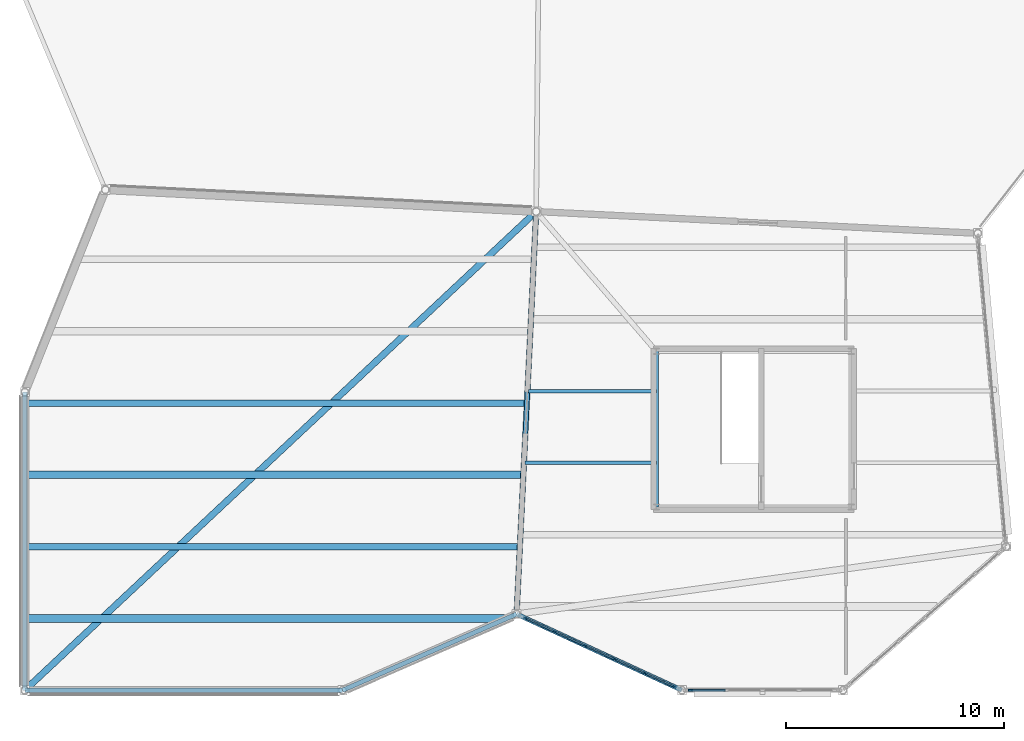
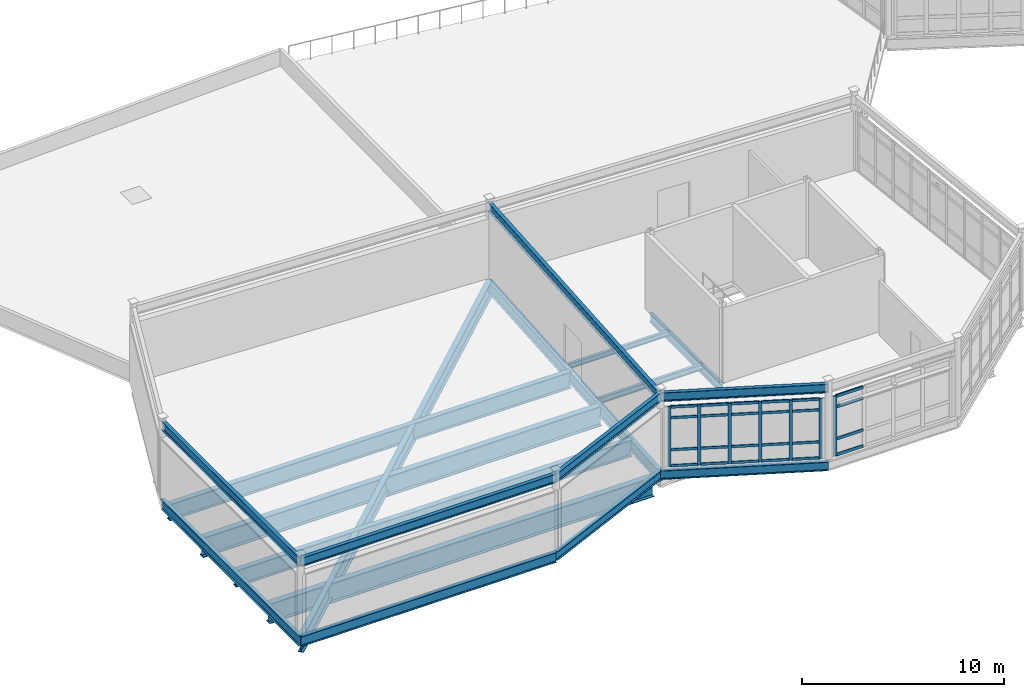
# One storey, part 22 of 114: 31 members, 18 beams, 2 elements without a shape of their own.
"""IFC4 building model written with IfcOpenShell, lengths in metres."""

from ifc_helpers import new_model, si_unit, direction, frame, origin, origin_2d, place, context, subcontext, project, spatial, rectangle, i_section, extrude, material, material_profile, profile_set, type_object, element, aggregate, save


model = new_model("IFC4")

# Units and contexts
model_context = context("Model", 3, precision=1e-05, world=origin(), true_north=direction((0.0, 1.0)))
body_context = subcontext(model_context, "Body", "Model", "MODEL_VIEW")
ifc_project = project(units=[si_unit("LENGTHUNIT", "METRE"), si_unit("AREAUNIT", "SQUARE_METRE"), si_unit("VOLUMEUNIT", "CUBIC_METRE"), si_unit("PLANEANGLEUNIT", "RADIAN"), si_unit("MASSUNIT", "GRAM", prefix="KILO")], contexts=[model_context])

# Site, building, storey
site_placement = place(None, origin())
site = spatial("IfcSite", under=ifc_project, at=site_placement, CompositionType="ELEMENT")
building_placement = place(site_placement, origin())
building = spatial("IfcBuilding", under=site, at=building_placement, Name="Tameran Prism Museum", CompositionType="ELEMENT")
storey_placement = place(building_placement, frame((0.0, 0.0, 10.199951171875)))
storey = spatial("IfcBuildingStorey", under=building, at=storey_placement, Name="L02", CompositionType="ELEMENT", Elevation=10.199951171875)

# Beams
ifc_material_1 = material(Name="Steel Grade 300PLUS (300 MPa)", Category="steel")
ifc_material_profile_1 = material_profile(ifc_material_1, i_section(OverallWidth=0.166015625, OverallDepth=0.306884765625, WebThickness=0.006591796875, FlangeThickness=0.01171875, FilletRadius=0.011474609375, at=origin_2d()))
ifc_profile_set_1 = profile_set([ifc_material_profile_1])
beam_type_1 = type_object("IfcBeamType", Name="BM-J310A", PredefinedType="JOIST", material=ifc_profile_set_1)
beam_1_placement = place(storey_placement, frame((23.138916015625, 13.75, -0.353515625), z_axis=(1.0, 0.0, 0.0), x_axis=(0.0, 1.0, 0.0)))
element("IfcBeam", 1, at=beam_1_placement, inside=storey, type_object=beam_type_1, Name="Floor Beam BM-0901", PredefinedType="JOIST", context=body_context, shape_type="SweptSolid", body=[
    extrude(i_section(OverallWidth=0.166015625, OverallDepth=0.306884765625, WebThickness=0.006591796875, FlangeThickness=0.01171875, FilletRadius=0.011474609375, at=origin_2d()), origin(), (0.0, 0.0, 1.0), 5.881103515625),
])
ifc_material_2 = material(Name="Steel Grade 300PLUS (300 MPa)", Category="steel")
ifc_material_profile_2 = material_profile(ifc_material_2, i_section(OverallWidth=0.1708984375, OverallDepth=0.35595703125, WebThickness=0.00732421875, FlangeThickness=0.011474609375, FilletRadius=0.011474609375, at=origin_2d()))
ifc_profile_set_2 = profile_set([ifc_material_profile_2])
beam_type_2 = type_object("IfcBeamType", Name="BM-J360B", PredefinedType="JOIST", material=ifc_profile_set_2)
beam_2_placement = place(storey_placement, frame((22.97802734375, 10.449951171875, -0.3779296875), z_axis=(1.0, 0.0, 0.0), x_axis=(0.0, 1.0, 0.0)))
element("IfcBeam", 2, at=beam_2_placement, inside=storey, type_object=beam_type_2, Name="Floor Beam BM-0899", PredefinedType="JOIST", context=body_context, shape_type="SweptSolid", body=[
    extrude(i_section(OverallWidth=0.1708984375, OverallDepth=0.35595703125, WebThickness=0.00732421875, FlangeThickness=0.011474609375, FilletRadius=0.011474609375, at=origin_2d()), origin(), (0.0, 0.0, 1.0), 6.0419921875),
])
ifc_material_3 = material(Name="Steel Grade 300PLUS (300 MPa)", Category="steel")
ifc_material_profile_3 = material_profile(ifc_material_3, i_section(OverallWidth=0.208984375, OverallDepth=0.532958984375, WebThickness=0.01025390625, FlangeThickness=0.015625, FilletRadius=0.013916015625, at=origin_2d()))
ifc_profile_set_3 = profile_set([ifc_material_profile_3])
beam_type_3 = type_object("IfcBeamType", Name="BM-SP530A", PredefinedType="SPANDREL", material=ifc_profile_set_3)
beam_3_placement = place(storey_placement, frame((14.60009765625, 0.0, -0.466552734375), z_axis=(0.916157334902, 0.40081883402, 0.0), x_axis=(-0.40081883402, 0.916157334902, 0.0)))
element("IfcBeam", 3, at=beam_3_placement, inside=storey, type_object=beam_type_3, Name="Perimeter Spandrel SP-0709", PredefinedType="SPANDREL", context=body_context, shape_type="SweptSolid", body=[
    extrude(i_section(OverallWidth=0.208984375, OverallDepth=0.532958984375, WebThickness=0.01025390625, FlangeThickness=0.015625, FilletRadius=0.013916015625, at=origin_2d()), origin(), (0.0, 0.0, 1.0), 8.732177734375),
])
ifc_material_4 = material(Name="Steel Grade 300PLUS (300 MPa)", Category="steel")
ifc_material_profile_4 = material_profile(ifc_material_4, i_section(OverallWidth=0.208984375, OverallDepth=0.528076171875, WebThickness=0.009521484375, FlangeThickness=0.01318359375, FilletRadius=0.013916015625, at=origin_2d()))
ifc_profile_set_4 = profile_set([ifc_material_profile_4])
beam_type_4 = type_object("IfcBeamType", Name="BM-SP530B", PredefinedType="SPANDREL", material=ifc_profile_set_4)
beam_4_placement = place(storey_placement, frame((0.0, 13.699951171875, 4.2861328125), z_axis=(0.0, -1.0, 0.0), x_axis=(1.0, 0.0, 0.0)))
element("IfcBeam", 4, at=beam_4_placement, inside=storey, type_object=beam_type_4, Name="Roof Ring Beam RB-0713", PredefinedType="SPANDREL", context=body_context, shape_type="SweptSolid", body=[
    extrude(i_section(OverallWidth=0.208984375, OverallDepth=0.528076171875, WebThickness=0.009521484375, FlangeThickness=0.01318359375, FilletRadius=0.013916015625, at=origin_2d()), origin(), (0.0, 0.0, 1.0), 13.699951171875),
])
beam_5_placement = place(storey_placement, frame((0.0, 0.0, 4.2861328125), z_axis=(1.0, 0.0, 0.0), x_axis=(0.0, 1.0, 0.0)))
element("IfcBeam", 5, at=beam_5_placement, inside=storey, type_object=beam_type_4, Name="Roof Ring Beam RB-0714", PredefinedType="SPANDREL", context=body_context, shape_type="SweptSolid", body=[
    extrude(i_section(OverallWidth=0.208984375, OverallDepth=0.528076171875, WebThickness=0.009521484375, FlangeThickness=0.01318359375, FilletRadius=0.013916015625, at=origin_2d()), origin(), (0.0, 0.0, 1.0), 14.60009765625),
])
beam_6_placement = place(storey_placement, frame((14.60009765625, 0.0, 4.2861328125), z_axis=(0.916157334902, 0.40081883402, 0.0), x_axis=(-0.40081883402, 0.916157334902, 0.0)))
element("IfcBeam", 6, at=beam_6_placement, inside=storey, type_object=beam_type_4, Name="Roof Ring Beam RB-0715", PredefinedType="SPANDREL", context=body_context, shape_type="SweptSolid", body=[
    extrude(i_section(OverallWidth=0.208984375, OverallDepth=0.528076171875, WebThickness=0.009521484375, FlangeThickness=0.01318359375, FilletRadius=0.013916015625, at=origin_2d()), origin(), (0.0, 0.0, 1.0), 8.732177734375),
])
beam_7_placement = place(storey_placement, frame((22.60009765625, 3.5, 4.256103515625), z_axis=(0.048585922438, 0.998819006698, 0.0), x_axis=(-0.998819006698, 0.048585922438, 0.0)))
element("IfcBeam", 7, at=beam_7_placement, inside=storey, type_object=beam_type_4, Name="Roof Ring Beam RB-0716", PredefinedType="SPANDREL", context=body_context, shape_type="SweptSolid", body=[
    extrude(i_section(OverallWidth=0.208984375, OverallDepth=0.528076171875, WebThickness=0.009521484375, FlangeThickness=0.01318359375, FilletRadius=0.013916015625, at=origin_2d()), origin(), (0.0, 0.0, 1.0), 18.52197265625),
])
for number, where, z_axis, x_axis, name in (
    (8, (22.60009765625, 3.5, -0.4638671875), (0.908305802849, -0.41830678755, 0.0), (0.41830678755, 0.908305802849, 0.0), "Perimeter Spandrel SP-0718"),
    (9, (22.60009765625, 3.5, 4.256103515625), (0.908305802849, -0.41830678755, 0.0), (0.41830678755, 0.908305802849, 0.0), "Roof Ring Beam RB-0723"),
):
    element("IfcBeam", number, at=place(storey_placement, frame(where, z_axis=z_axis, x_axis=x_axis)), inside=storey, type_object=beam_type_4, Name=name, PredefinedType="SPANDREL", context=body_context, shape_type="SweptSolid", body=[
        extrude(i_section(OverallWidth=0.208984375, OverallDepth=0.528076171875, WebThickness=0.009521484375, FlangeThickness=0.01318359375, FilletRadius=0.013916015625, at=origin_2d()), origin(), (0.0, 0.0, 1.0), 8.366943359375),
    ])
beam_8_placement = place(storey_placement, frame((29.02001953125, 15.580078125, -0.50390625), z_axis=(0.0, -1.0, 0.0), x_axis=(1.0, 0.0, 0.0)))
element("IfcBeam", 10, at=beam_8_placement, inside=storey, type_object=beam_type_4, Name="Core Ring Beam CTB-0788", PredefinedType="SPANDREL", context=body_context, shape_type="SweptSolid", body=[
    extrude(i_section(OverallWidth=0.208984375, OverallDepth=0.528076171875, WebThickness=0.009521484375, FlangeThickness=0.01318359375, FilletRadius=0.013916015625, at=origin_2d()), origin(), (0.0, 0.0, 1.0), 7.16015625),
])
ifc_material_5 = material(Name="Steel Grade 300PLUS (300 MPa)", Category="steel")
ifc_material_profile_5 = material_profile(ifc_material_5, i_section(OverallWidth=0.22802734375, OverallDepth=0.60205078125, WebThickness=0.010498046875, FlangeThickness=0.014892578125, FilletRadius=0.013916015625, at=origin_2d()))
ifc_profile_set_5 = profile_set([ifc_material_profile_5])
beam_type_5 = type_object("IfcBeamType", Name="BM-SP610", PredefinedType="SPANDREL", material=ifc_profile_set_5)
beam_9_placement = place(storey_placement, frame((0.0, 13.699951171875, -0.5009765625), z_axis=(0.0, -1.0, 0.0), x_axis=(1.0, 0.0, 0.0)))
element("IfcBeam", 11, at=beam_9_placement, inside=storey, type_object=beam_type_5, Name="Perimeter Spandrel SP-0707", PredefinedType="SPANDREL", context=body_context, shape_type="SweptSolid", body=[
    extrude(i_section(OverallWidth=0.22802734375, OverallDepth=0.60205078125, WebThickness=0.010498046875, FlangeThickness=0.014892578125, FilletRadius=0.013916015625, at=origin_2d()), origin(), (0.0, 0.0, 1.0), 13.699951171875),
])
beam_10_placement = place(storey_placement, frame((0.0, 0.0, -0.5009765625), z_axis=(1.0, 0.0, 0.0), x_axis=(0.0, 1.0, 0.0)))
element("IfcBeam", 12, at=beam_10_placement, inside=storey, type_object=beam_type_5, Name="Perimeter Spandrel SP-0708", PredefinedType="SPANDREL", context=body_context, shape_type="SweptSolid", body=[
    extrude(i_section(OverallWidth=0.22802734375, OverallDepth=0.60205078125, WebThickness=0.010498046875, FlangeThickness=0.014892578125, FilletRadius=0.013916015625, at=origin_2d()), origin(), (0.0, 0.0, 1.0), 14.60009765625),
])
ifc_material_6 = material(Name="Steel Grade 350 (350 MPa)", Category="steel")
ifc_material_profile_6 = material_profile(ifc_material_6, i_section(OverallWidth=0.25, OverallDepth=0.699951171875, WebThickness=0.010009765625, FlangeThickness=0.02001953125, at=origin_2d()))
ifc_profile_set_6 = profile_set([ifc_material_profile_6])
beam_type_6 = type_object("IfcBeamType", Name="BM-SP700", PredefinedType="SPANDREL", material=ifc_profile_set_6)
beam_11_placement = place(storey_placement, frame((22.60009765625, 3.5, -0.550048828125), z_axis=(0.048585922438, 0.998819006698, 0.0), x_axis=(-0.998819006698, 0.048585922438, 0.0)))
element("IfcBeam", 13, at=beam_11_placement, inside=storey, type_object=beam_type_6, Name="Perimeter Spandrel SP-0710", PredefinedType="SPANDREL", context=body_context, shape_type="SweptSolid", body=[
    extrude(i_section(OverallWidth=0.25, OverallDepth=0.699951171875, WebThickness=0.010009765625, FlangeThickness=0.02001953125, at=origin_2d()), origin(), (0.0, 0.0, 1.0), 18.52197265625),
])
ifc_material_7 = material(Name="Steel Grade 350 (350 MPa)", Category="steel")
ifc_material_profile_7 = material_profile(ifc_material_7, i_section(OverallWidth=0.300048828125, OverallDepth=1.0, WebThickness=0.01611328125, FlangeThickness=0.031982421875, at=origin_2d()))
ifc_profile_set_7 = profile_set([ifc_material_profile_7])
beam_type_7 = type_object("IfcBeamType", Name="BM-WB1000", PredefinedType="BEAM", material=ifc_profile_set_7)
beam_12_placement = place(storey_placement, frame((23.5, 22.0, -0.699951171875), z_axis=(-0.730021398632, -0.683424288081, 0.0), x_axis=(0.683424288081, -0.730021398632, 0.0)))
element("IfcBeam", 14, at=beam_12_placement, inside=storey, type_object=beam_type_7, Name="Primary Vertex Girder PG-0717", PredefinedType="BEAM", context=body_context, shape_type="SweptSolid", body=[
    extrude(i_section(OverallWidth=0.300048828125, OverallDepth=1.0, WebThickness=0.01611328125, FlangeThickness=0.031982421875, at=origin_2d()), origin(), (0.0, 0.0, 1.0), 32.19091796875),
])
beam_13_placement = place(storey_placement, frame((0.0400390625, 6.60009765625, -0.699951171875), z_axis=(1.0, 0.0, 0.0), x_axis=(0.0, 1.0, 0.0)))
element("IfcBeam", 15, at=beam_13_placement, inside=storey, type_object=beam_type_7, Name="Floor Beam BM-0892", PredefinedType="BEAM", context=body_context, shape_type="SweptSolid", body=[
    extrude(i_section(OverallWidth=0.300048828125, OverallDepth=1.0, WebThickness=0.01611328125, FlangeThickness=0.031982421875, at=origin_2d()), origin(), (0.0, 0.0, 1.0), 22.6708984375),
])
beam_14_placement = place(storey_placement, frame((0.0400390625, 13.199951171875, -0.699951171875), z_axis=(1.0, 0.0, 0.0), x_axis=(0.0, 1.0, 0.0)))
element("IfcBeam", 16, at=beam_14_placement, inside=storey, type_object=beam_type_7, Name="Floor Beam BM-0894", PredefinedType="BEAM", context=body_context, shape_type="SweptSolid", body=[
    extrude(i_section(OverallWidth=0.300048828125, OverallDepth=1.0, WebThickness=0.01611328125, FlangeThickness=0.031982421875, at=origin_2d()), origin(), (0.0, 0.0, 1.0), 22.991943359375),
])
ifc_material_8 = material(Name="Steel Grade 350 (350 MPa)", Category="steel")
ifc_material_profile_8 = material_profile(ifc_material_8, i_section(OverallWidth=0.35009765625, OverallDepth=1.199951171875, WebThickness=0.01611328125, FlangeThickness=0.035888671875, at=origin_2d()))
ifc_profile_set_8 = profile_set([ifc_material_profile_8])
beam_type_8 = type_object("IfcBeamType", Name="BM-WB1200", PredefinedType="BEAM", material=ifc_profile_set_8)
beam_15_placement = place(storey_placement, frame((0.0400390625, 3.300048828125, -0.800048828125), z_axis=(1.0, 0.0, 0.0), x_axis=(0.0, 1.0, 0.0)))
element("IfcBeam", 17, at=beam_15_placement, inside=storey, type_object=beam_type_8, Name="Floor Beam BM-0891", PredefinedType="BEAM", context=body_context, shape_type="SweptSolid", body=[
    extrude(i_section(OverallWidth=0.35009765625, OverallDepth=1.199951171875, WebThickness=0.01611328125, FlangeThickness=0.035888671875, at=origin_2d()), origin(), (0.0, 0.0, 1.0), 22.0029296875),
])
beam_16_placement = place(storey_placement, frame((0.0400390625, 9.89990234375, -0.800048828125), z_axis=(1.0, 0.0, 0.0), x_axis=(0.0, 1.0, 0.0)))
element("IfcBeam", 18, at=beam_16_placement, inside=storey, type_object=beam_type_8, Name="Floor Beam BM-0893", PredefinedType="BEAM", context=body_context, shape_type="SweptSolid", body=[
    extrude(i_section(OverallWidth=0.35009765625, OverallDepth=1.199951171875, WebThickness=0.01611328125, FlangeThickness=0.035888671875, at=origin_2d()), origin(), (0.0, 0.0, 1.0), 22.8310546875),
])

# Curtain wall, members
ifc_material_9 = material(Name="Anodised Aluminium 6063-T6 and Cyclone Solar Glass", Category="aluminium")
curtain_wall_type_1 = type_object("IfcCurtainWallType", Name="CW-FAC-761x362", PredefinedType="USERDEFINED", material=ifc_material_9)
curtain_wall_1_placement = place(storey_placement, origin())
curtain_wall_1 = element("IfcCurtainWall", 19, at=curtain_wall_1_placement, inside=storey, type_object=curtain_wall_type_1, Name="Unitised Curtain Wall CW-120", ObjectType="UNITISED CURTAIN WALL", PredefinedType="USERDEFINED")
ifc_material_10 = material(Name="Anodised Aluminium Alloy 6063-T6", Category="aluminium")
ifc_material_profile_9 = material_profile(ifc_material_10, rectangle(XDim=0.070068359375, YDim=0.179931640625, at=origin_2d()))
ifc_profile_set_9 = profile_set([ifc_material_profile_9])
member_type_1 = type_object("IfcMemberType", Name="CW-MUL-B", PredefinedType="MULLION", material=ifc_profile_set_9)
member_1_placement = place(storey_placement, frame((29.85009765625, 0.16064453125, 0.0), z_axis=(0.0, 0.0, 1.0), x_axis=(-0.418382893697, -0.908270749425, 0.0)))
member_1 = element("IfcMember", 20, at=member_1_placement, type_object=member_type_1, Name="CW-120 mullion 1", PredefinedType="MULLION", context=body_context, shape_type="SweptSolid", body=[
    extrude(rectangle(XDim=0.070068359375, YDim=0.179931640625, at=origin_2d()), origin(), (0.0, 0.0, 1.0), 3.6201171875),
])
member_2_placement = place(storey_placement, frame((28.5, 0.78271484375, 0.0), z_axis=(0.0, 0.0, 1.0), x_axis=(-0.418382893697, -0.908270749425, 0.0)))
member_2 = element("IfcMember", 21, at=member_2_placement, type_object=member_type_1, Name="CW-120 mullion 2", PredefinedType="MULLION", context=body_context, shape_type="SweptSolid", body=[
    extrude(rectangle(XDim=0.070068359375, YDim=0.179931640625, at=origin_2d()), origin(), (0.0, 0.0, 1.0), 3.6201171875),
])
member_3_placement = place(storey_placement, frame((27.117919921875, 1.419189453125, 0.0), z_axis=(0.0, 0.0, 1.0), x_axis=(-0.418382893697, -0.908270749425, 0.0)))
member_3 = element("IfcMember", 22, at=member_3_placement, type_object=member_type_1, Name="CW-120 mullion 3", PredefinedType="MULLION", context=body_context, shape_type="SweptSolid", body=[
    extrude(rectangle(XDim=0.070068359375, YDim=0.179931640625, at=origin_2d()), origin(), (0.0, 0.0, 1.0), 3.6201171875),
])
member_4_placement = place(storey_placement, frame((25.736083984375, 2.055908203125, 0.0), z_axis=(0.0, 0.0, 1.0), x_axis=(-0.418382893697, -0.908270749425, 0.0)))
member_4 = element("IfcMember", 23, at=member_4_placement, type_object=member_type_1, Name="CW-120 mullion 4", PredefinedType="MULLION", context=body_context, shape_type="SweptSolid", body=[
    extrude(rectangle(XDim=0.070068359375, YDim=0.179931640625, at=origin_2d()), origin(), (0.0, 0.0, 1.0), 3.6201171875),
])
member_5_placement = place(storey_placement, frame((24.35400390625, 2.6923828125, 0.0), z_axis=(0.0, 0.0, 1.0), x_axis=(-0.418382893697, -0.908270749425, 0.0)))
member_5 = element("IfcMember", 24, at=member_5_placement, type_object=member_type_1, Name="CW-120 mullion 5", PredefinedType="MULLION", context=body_context, shape_type="SweptSolid", body=[
    extrude(rectangle(XDim=0.070068359375, YDim=0.179931640625, at=origin_2d()), origin(), (0.0, 0.0, 1.0), 3.6201171875),
])
member_6_placement = place(storey_placement, frame((23.00390625, 3.314453125, 0.0), z_axis=(0.0, 0.0, 1.0), x_axis=(-0.418382893697, -0.908270749425, 0.0)))
member_6 = element("IfcMember", 25, at=member_6_placement, type_object=member_type_1, Name="CW-120 mullion 6", PredefinedType="MULLION", context=body_context, shape_type="SweptSolid", body=[
    extrude(rectangle(XDim=0.070068359375, YDim=0.179931640625, at=origin_2d()), origin(), (0.0, 0.0, 1.0), 3.6201171875),
])

# Curtain wall, member
ifc_material_11 = material(Name="Anodised Aluminium 6063-T6 and Cyclone Solar Glass", Category="aluminium")
curtain_wall_type_2 = type_object("IfcCurtainWallType", Name="CW-FAC-670x362", PredefinedType="USERDEFINED", material=ifc_material_11)
curtain_wall_2_placement = place(storey_placement, origin())
curtain_wall_2 = element("IfcCurtainWall", 26, at=curtain_wall_2_placement, inside=storey, type_object=curtain_wall_type_2, Name="Unitised Curtain Wall CW-121", ObjectType="UNITISED CURTAIN WALL", PredefinedType="USERDEFINED")
ifc_material_12 = material(Name="Anodised Aluminium Alloy 6063-T6", Category="aluminium")
ifc_material_profile_10 = material_profile(ifc_material_12, rectangle(XDim=0.074951171875, YDim=0.199951171875, at=origin_2d()))
ifc_profile_set_10 = profile_set([ifc_material_profile_10])
member_type_2 = type_object("IfcMemberType", Name="CW-MUL-C", PredefinedType="MULLION", material=ifc_profile_set_10)
member_7_placement = place(storey_placement, frame((30.58740234375, 0.0, 0.0), z_axis=(0.0, 0.0, 1.0), x_axis=(0.0, -1.0, 0.0)))
member_7 = element("IfcMember", 27, at=member_7_placement, type_object=member_type_2, Name="CW-121 mullion 5", PredefinedType="MULLION", context=body_context, shape_type="SweptSolid", body=[
    extrude(rectangle(XDim=0.074951171875, YDim=0.199951171875, at=origin_2d()), origin(), (0.0, 0.0, 1.0), 3.6201171875),
])

# Member
ifc_material_13 = material(Name="Anodised Aluminium Alloy 6063-T6", Category="aluminium")
ifc_material_profile_11 = material_profile(ifc_material_13, rectangle(XDim=0.070068359375, YDim=0.155029296875, at=origin_2d()))
ifc_profile_set_11 = profile_set([ifc_material_profile_11])
member_type_3 = type_object("IfcMemberType", Name="CW-TRN-B", PredefinedType="USERDEFINED", material=ifc_profile_set_11)
member_8_placement = place(storey_placement, frame((29.818359375, 0.17529296875, 0.03515625), z_axis=(-0.908241650756, 0.418446058451, 0.0), x_axis=(-0.418446058451, -0.908241650756, 0.0)))
member_8 = element("IfcMember", 28, at=member_8_placement, type_object=member_type_3, Name="CW-120 transom 1.1", ObjectType="TRANSOM", PredefinedType="USERDEFINED", context=body_context, shape_type="SweptSolid", body=[
    extrude(rectangle(XDim=0.070068359375, YDim=0.155029296875, at=origin_2d()), origin(), (0.0, 0.0, 1.0), 1.41650390625),
])

member_9_placement = place(storey_placement, frame((29.818359375, 0.17529296875, 1.0), z_axis=(-0.908241650756, 0.418446058451, 0.0), x_axis=(-0.418446058451, -0.908241650756, 0.0)))
member_9 = element("IfcMember", 29, at=member_9_placement, type_object=member_type_3, Name="CW-120 transom 1.2", ObjectType="TRANSOM", PredefinedType="USERDEFINED", context=body_context, shape_type="SweptSolid", body=[
    extrude(rectangle(XDim=0.070068359375, YDim=0.155029296875, at=origin_2d()), origin(), (0.0, 0.0, 1.0), 1.41650390625),
])

member_10_placement = place(storey_placement, frame((29.818359375, 0.17529296875, 2.93994140625), z_axis=(-0.908241650756, 0.418446058451, 0.0), x_axis=(-0.418446058451, -0.908241650756, 0.0)))
member_10 = element("IfcMember", 30, at=member_10_placement, type_object=member_type_3, Name="CW-120 transom 1.3", ObjectType="TRANSOM", PredefinedType="USERDEFINED", context=body_context, shape_type="SweptSolid", body=[
    extrude(rectangle(XDim=0.070068359375, YDim=0.155029296875, at=origin_2d()), origin(), (0.0, 0.0, 1.0), 1.41650390625),
])

member_11_placement = place(storey_placement, frame((29.818359375, 0.17529296875, 3.5849609375), z_axis=(-0.908241650756, 0.418446058451, 0.0), x_axis=(-0.418446058451, -0.908241650756, 0.0)))
member_11 = element("IfcMember", 31, at=member_11_placement, type_object=member_type_3, Name="CW-120 transom 1.4", ObjectType="TRANSOM", PredefinedType="USERDEFINED", context=body_context, shape_type="SweptSolid", body=[
    extrude(rectangle(XDim=0.070068359375, YDim=0.155029296875, at=origin_2d()), origin(), (0.0, 0.0, 1.0), 1.41650390625),
])

member_12_placement = place(storey_placement, frame((28.46826171875, 0.79736328125, 0.03515625), z_axis=(-0.908298775175, 0.418322047011, 0.0), x_axis=(-0.418322047011, -0.908298775175, 0.0)))
member_12 = element("IfcMember", 32, at=member_12_placement, type_object=member_type_3, Name="CW-120 transom 2.1", ObjectType="TRANSOM", PredefinedType="USERDEFINED", context=body_context, shape_type="SweptSolid", body=[
    extrude(rectangle(XDim=0.070068359375, YDim=0.155029296875, at=origin_2d()), origin(), (0.0, 0.0, 1.0), 1.451416015625),
])

member_13_placement = place(storey_placement, frame((28.46826171875, 0.79736328125, 1.0), z_axis=(-0.908298775175, 0.418322047011, 0.0), x_axis=(-0.418322047011, -0.908298775175, 0.0)))
member_13 = element("IfcMember", 33, at=member_13_placement, type_object=member_type_3, Name="CW-120 transom 2.2", ObjectType="TRANSOM", PredefinedType="USERDEFINED", context=body_context, shape_type="SweptSolid", body=[
    extrude(rectangle(XDim=0.070068359375, YDim=0.155029296875, at=origin_2d()), origin(), (0.0, 0.0, 1.0), 1.451416015625),
])

member_14_placement = place(storey_placement, frame((28.46826171875, 0.79736328125, 2.93994140625), z_axis=(-0.908298775175, 0.418322047011, 0.0), x_axis=(-0.418322047011, -0.908298775175, 0.0)))
member_14 = element("IfcMember", 34, at=member_14_placement, type_object=member_type_3, Name="CW-120 transom 2.3", ObjectType="TRANSOM", PredefinedType="USERDEFINED", context=body_context, shape_type="SweptSolid", body=[
    extrude(rectangle(XDim=0.070068359375, YDim=0.155029296875, at=origin_2d()), origin(), (0.0, 0.0, 1.0), 1.451416015625),
])

member_15_placement = place(storey_placement, frame((28.46826171875, 0.79736328125, 3.5849609375), z_axis=(-0.908298775175, 0.418322047011, 0.0), x_axis=(-0.418322047011, -0.908298775175, 0.0)))
member_15 = element("IfcMember", 35, at=member_15_placement, type_object=member_type_3, Name="CW-120 transom 2.4", ObjectType="TRANSOM", PredefinedType="USERDEFINED", context=body_context, shape_type="SweptSolid", body=[
    extrude(rectangle(XDim=0.070068359375, YDim=0.155029296875, at=origin_2d()), origin(), (0.0, 0.0, 1.0), 1.451416015625),
])

member_16_placement = place(storey_placement, frame((27.086181640625, 1.433837890625, 0.03515625), z_axis=(-0.908234858244, 0.418460801354, 0.0), x_axis=(-0.418460801354, -0.908234858244, 0.0)))
member_16 = element("IfcMember", 36, at=member_16_placement, type_object=member_type_3, Name="CW-120 transom 3.1", ObjectType="TRANSOM", PredefinedType="USERDEFINED", context=body_context, shape_type="SweptSolid", body=[
    extrude(rectangle(XDim=0.070068359375, YDim=0.155029296875, at=origin_2d()), origin(), (0.0, 0.0, 1.0), 1.45166015625),
])

member_17_placement = place(storey_placement, frame((27.086181640625, 1.433837890625, 1.0), z_axis=(-0.908234858244, 0.418460801354, 0.0), x_axis=(-0.418460801354, -0.908234858244, 0.0)))
member_17 = element("IfcMember", 37, at=member_17_placement, type_object=member_type_3, Name="CW-120 transom 3.2", ObjectType="TRANSOM", PredefinedType="USERDEFINED", context=body_context, shape_type="SweptSolid", body=[
    extrude(rectangle(XDim=0.070068359375, YDim=0.155029296875, at=origin_2d()), origin(), (0.0, 0.0, 1.0), 1.45166015625),
])

member_18_placement = place(storey_placement, frame((27.086181640625, 1.433837890625, 2.93994140625), z_axis=(-0.908234858244, 0.418460801354, 0.0), x_axis=(-0.418460801354, -0.908234858244, 0.0)))
member_18 = element("IfcMember", 38, at=member_18_placement, type_object=member_type_3, Name="CW-120 transom 3.3", ObjectType="TRANSOM", PredefinedType="USERDEFINED", context=body_context, shape_type="SweptSolid", body=[
    extrude(rectangle(XDim=0.070068359375, YDim=0.155029296875, at=origin_2d()), origin(), (0.0, 0.0, 1.0), 1.45166015625),
])

member_19_placement = place(storey_placement, frame((27.086181640625, 1.433837890625, 3.5849609375), z_axis=(-0.908234858244, 0.418460801354, 0.0), x_axis=(-0.418460801354, -0.908234858244, 0.0)))
member_19 = element("IfcMember", 39, at=member_19_placement, type_object=member_type_3, Name="CW-120 transom 3.4", ObjectType="TRANSOM", PredefinedType="USERDEFINED", context=body_context, shape_type="SweptSolid", body=[
    extrude(rectangle(XDim=0.070068359375, YDim=0.155029296875, at=origin_2d()), origin(), (0.0, 0.0, 1.0), 1.45166015625),
])

member_20_placement = place(storey_placement, frame((25.7041015625, 2.070556640625, 0.03515625), z_axis=(-0.908298775175, 0.418322047011, 0.0), x_axis=(-0.418322047011, -0.908298775175, 0.0)))
member_20 = element("IfcMember", 40, at=member_20_placement, type_object=member_type_3, Name="CW-120 transom 4.1", ObjectType="TRANSOM", PredefinedType="USERDEFINED", context=body_context, shape_type="SweptSolid", body=[
    extrude(rectangle(XDim=0.070068359375, YDim=0.155029296875, at=origin_2d()), origin(), (0.0, 0.0, 1.0), 1.451416015625),
])

member_21_placement = place(storey_placement, frame((25.7041015625, 2.070556640625, 1.0), z_axis=(-0.908298775175, 0.418322047011, 0.0), x_axis=(-0.418322047011, -0.908298775175, 0.0)))
member_21 = element("IfcMember", 41, at=member_21_placement, type_object=member_type_3, Name="CW-120 transom 4.2", ObjectType="TRANSOM", PredefinedType="USERDEFINED", context=body_context, shape_type="SweptSolid", body=[
    extrude(rectangle(XDim=0.070068359375, YDim=0.155029296875, at=origin_2d()), origin(), (0.0, 0.0, 1.0), 1.451416015625),
])

member_22_placement = place(storey_placement, frame((25.7041015625, 2.070556640625, 2.93994140625), z_axis=(-0.908298775175, 0.418322047011, 0.0), x_axis=(-0.418322047011, -0.908298775175, 0.0)))
member_22 = element("IfcMember", 42, at=member_22_placement, type_object=member_type_3, Name="CW-120 transom 4.3", ObjectType="TRANSOM", PredefinedType="USERDEFINED", context=body_context, shape_type="SweptSolid", body=[
    extrude(rectangle(XDim=0.070068359375, YDim=0.155029296875, at=origin_2d()), origin(), (0.0, 0.0, 1.0), 1.451416015625),
])

member_23_placement = place(storey_placement, frame((25.7041015625, 2.070556640625, 3.5849609375), z_axis=(-0.908298775175, 0.418322047011, 0.0), x_axis=(-0.418322047011, -0.908298775175, 0.0)))
member_23 = element("IfcMember", 43, at=member_23_placement, type_object=member_type_3, Name="CW-120 transom 4.4", ObjectType="TRANSOM", PredefinedType="USERDEFINED", context=body_context, shape_type="SweptSolid", body=[
    extrude(rectangle(XDim=0.070068359375, YDim=0.155029296875, at=origin_2d()), origin(), (0.0, 0.0, 1.0), 1.451416015625),
])

member_24_placement = place(storey_placement, frame((24.322265625, 2.70703125, 0.03515625), z_axis=(-0.908241650756, 0.418446058451, 0.0), x_axis=(-0.418446058451, -0.908241650756, 0.0)))
member_24 = element("IfcMember", 44, at=member_24_placement, type_object=member_type_3, Name="CW-120 transom 5.1", ObjectType="TRANSOM", PredefinedType="USERDEFINED", context=body_context, shape_type="SweptSolid", body=[
    extrude(rectangle(XDim=0.070068359375, YDim=0.155029296875, at=origin_2d()), origin(), (0.0, 0.0, 1.0), 1.41650390625),
])

member_25_placement = place(storey_placement, frame((24.322265625, 2.70703125, 1.0), z_axis=(-0.908241650756, 0.418446058451, 0.0), x_axis=(-0.418446058451, -0.908241650756, 0.0)))
member_25 = element("IfcMember", 45, at=member_25_placement, type_object=member_type_3, Name="CW-120 transom 5.2", ObjectType="TRANSOM", PredefinedType="USERDEFINED", context=body_context, shape_type="SweptSolid", body=[
    extrude(rectangle(XDim=0.070068359375, YDim=0.155029296875, at=origin_2d()), origin(), (0.0, 0.0, 1.0), 1.41650390625),
])

member_26_placement = place(storey_placement, frame((24.322265625, 2.70703125, 2.93994140625), z_axis=(-0.908241650756, 0.418446058451, 0.0), x_axis=(-0.418446058451, -0.908241650756, 0.0)))
member_26 = element("IfcMember", 46, at=member_26_placement, type_object=member_type_3, Name="CW-120 transom 5.3", ObjectType="TRANSOM", PredefinedType="USERDEFINED", context=body_context, shape_type="SweptSolid", body=[
    extrude(rectangle(XDim=0.070068359375, YDim=0.155029296875, at=origin_2d()), origin(), (0.0, 0.0, 1.0), 1.41650390625),
])

member_27_placement = place(storey_placement, frame((24.322265625, 2.70703125, 3.5849609375), z_axis=(-0.908241650756, 0.418446058451, 0.0), x_axis=(-0.418446058451, -0.908241650756, 0.0)))
member_27 = element("IfcMember", 47, at=member_27_placement, type_object=member_type_3, Name="CW-120 transom 5.4", ObjectType="TRANSOM", PredefinedType="USERDEFINED", context=body_context, shape_type="SweptSolid", body=[
    extrude(rectangle(XDim=0.070068359375, YDim=0.155029296875, at=origin_2d()), origin(), (0.0, 0.0, 1.0), 1.41650390625),
])

aggregate(curtain_wall_1, [member_1, member_2, member_3, member_4, member_5, member_6, member_8, member_9, member_10, member_11, member_12, member_13, member_14, member_15, member_16, member_17, member_18, member_19, member_20, member_21, member_22, member_23, member_24, member_25, member_26, member_27])

ifc_material_14 = material(Name="Anodised Aluminium Alloy 6063-T6", Category="aluminium")
ifc_material_profile_12 = material_profile(ifc_material_14, rectangle(XDim=0.074951171875, YDim=0.175048828125, at=origin_2d()))
ifc_profile_set_12 = profile_set([ifc_material_profile_12])
member_type_4 = type_object("IfcMemberType", Name="CW-TRN-C", PredefinedType="USERDEFINED", material=ifc_profile_set_12)
member_28_placement = place(storey_placement, frame((32.1875, 0.0, 0.03759765625), z_axis=(-1.0, 0.0, 0.0), x_axis=(0.0, -1.0, 0.0)))
member_28 = element("IfcMember", 48, at=member_28_placement, type_object=member_type_4, Name="CW-121 transom 4.1", ObjectType="TRANSOM", PredefinedType="USERDEFINED", context=body_context, shape_type="SweptSolid", body=[
    extrude(rectangle(XDim=0.074951171875, YDim=0.175048828125, at=origin_2d()), origin(), (0.0, 0.0, 1.0), 1.5625),
])

member_29_placement = place(storey_placement, frame((32.1875, 0.0, 1.0), z_axis=(-1.0, 0.0, 0.0), x_axis=(0.0, -1.0, 0.0)))
member_29 = element("IfcMember", 49, at=member_29_placement, type_object=member_type_4, Name="CW-121 transom 4.2", ObjectType="TRANSOM", PredefinedType="USERDEFINED", context=body_context, shape_type="SweptSolid", body=[
    extrude(rectangle(XDim=0.074951171875, YDim=0.175048828125, at=origin_2d()), origin(), (0.0, 0.0, 1.0), 1.5625),
])

member_30_placement = place(storey_placement, frame((32.1875, 0.0, 2.93994140625), z_axis=(-1.0, 0.0, 0.0), x_axis=(0.0, -1.0, 0.0)))
member_30 = element("IfcMember", 50, at=member_30_placement, type_object=member_type_4, Name="CW-121 transom 4.3", ObjectType="TRANSOM", PredefinedType="USERDEFINED", context=body_context, shape_type="SweptSolid", body=[
    extrude(rectangle(XDim=0.074951171875, YDim=0.175048828125, at=origin_2d()), origin(), (0.0, 0.0, 1.0), 1.5625),
])

member_31_placement = place(storey_placement, frame((32.1875, 0.0, 3.58251953125), z_axis=(-1.0, 0.0, 0.0), x_axis=(0.0, -1.0, 0.0)))
member_31 = element("IfcMember", 51, at=member_31_placement, type_object=member_type_4, Name="CW-121 transom 4.4", ObjectType="TRANSOM", PredefinedType="USERDEFINED", context=body_context, shape_type="SweptSolid", body=[
    extrude(rectangle(XDim=0.074951171875, YDim=0.175048828125, at=origin_2d()), origin(), (0.0, 0.0, 1.0), 1.5625),
])

aggregate(curtain_wall_2, [member_7, member_28, member_29, member_30, member_31])

save(model, "model.ifc")
